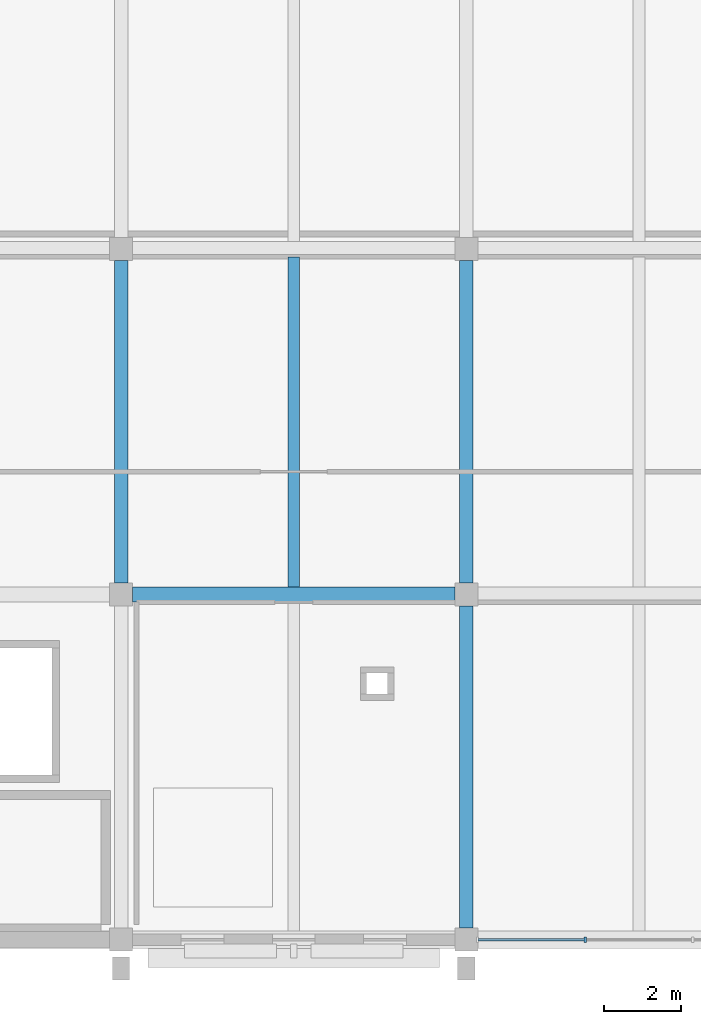
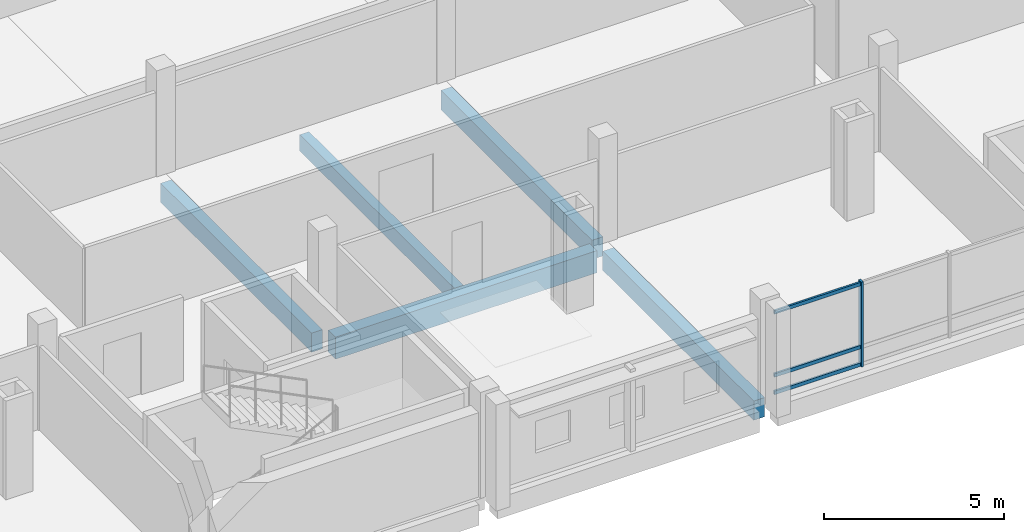
# One storey, part 9 of 163: 5 beams, 4 members, 1 element without a shape of its own.
"""IFC4 building model written with IfcOpenShell, lengths in metres."""

from ifc_helpers import new_model, si_unit, direction, frame, origin, origin_2d, place, context, subcontext, project, spatial, rectangle, extrude, material, material_profile, profile_set, type_object, element, aggregate, save


model = new_model("IFC4")

# Units and contexts
model_context = context("Model", 3, precision=1e-05, world=origin(), true_north=direction((0.0, 1.0)))
body_context = subcontext(model_context, "Body", "Model", "MODEL_VIEW")
ifc_project = project(units=[si_unit("LENGTHUNIT", "METRE"), si_unit("AREAUNIT", "SQUARE_METRE"), si_unit("VOLUMEUNIT", "CUBIC_METRE"), si_unit("PLANEANGLEUNIT", "RADIAN"), si_unit("MASSUNIT", "GRAM", prefix="KILO")], contexts=[model_context])

# Site, building, storey
site_placement = place(None, origin())
site = spatial("IfcSite", under=ifc_project, at=site_placement, CompositionType="ELEMENT")
building_placement = place(site_placement, origin())
building = spatial("IfcBuilding", under=site, at=building_placement, Name="Tharagai Park Tramway Depot", CompositionType="ELEMENT")
storey_placement = place(building_placement, frame((0.0, 0.0, 8.39990234375)))
storey = spatial("IfcBuildingStorey", under=building, at=storey_placement, Name="L02", CompositionType="ELEMENT", Elevation=8.39990234375)

# Beams
ifc_material_1 = material(Name="Concrete M35", Category="concrete")
ifc_material_profile_1 = material_profile(ifc_material_1, rectangle(XDim=0.35009765625, YDim=0.64990234375, at=origin_2d()), Name="RC 350x650")
ifc_profile_set_1 = profile_set([ifc_material_profile_1], Name="Concrete M35")
beam_type_1 = type_object("IfcBeamType", Name="BM-13", PredefinedType="BEAM", material=ifc_profile_set_1)
for number, where, z_axis, x_axis, name in (
    (1, (18.0, 9.300048828125, -0.574951171875), (0.0, 1.0, 0.0), (-1.0, 0.0, 0.0), "L02 Grid Beam BM-13"),
    (2, (27.0, 0.300048828125, -0.574951171875), (0.0, 1.0, 0.0), (-1.0, 0.0, 0.0), "L02 Grid Beam BM-13"),
    (3, (27.0, 9.300048828125, -0.574951171875), (0.0, 1.0, 0.0), (-1.0, 0.0, 0.0), "L02 Grid Beam BM-13"),
):
    element("IfcBeam", number, at=place(storey_placement, frame(where, z_axis=z_axis, x_axis=x_axis)), inside=storey, type_object=beam_type_1, Name=name, PredefinedType="BEAM", context=body_context, shape_type="SweptSolid", body=[
        extrude(rectangle(XDim=0.35009765625, YDim=0.64990234375, at=origin_2d()), origin(), (0.0, 0.0, 1.0), 8.39990234375),
    ])
ifc_material_profile_2 = material_profile(ifc_material_1, rectangle(XDim=0.39990234375, YDim=0.75, at=origin_2d()), Name="RC 400x750")
ifc_profile_set_2 = profile_set([ifc_material_profile_2], Name="Concrete M35")
beam_type_2 = type_object("IfcBeamType", Name="BM-19", PredefinedType="BEAM", material=ifc_profile_set_2)
beam_1_placement = place(storey_placement, frame((18.300048828125, 9.0, -0.625), z_axis=(1.0, 0.0, 0.0), x_axis=(0.0, 1.0, 0.0)))
element("IfcBeam", 4, at=beam_1_placement, inside=storey, type_object=beam_type_2, Name="L02 Grid Beam BM-19", PredefinedType="BEAM", context=body_context, shape_type="SweptSolid", body=[
    extrude(rectangle(XDim=0.39990234375, YDim=0.75, at=origin_2d()), origin(), (0.0, 0.0, 1.0), 8.39990234375),
])

# Curtain wall, members
ifc_material_2 = material(Name="Anodised aluminium", Category="aluminium")
curtain_wall_type = type_object("IfcCurtainWallType", Name="CW-02", PredefinedType="NOTDEFINED", material=ifc_material_2)
curtain_wall_placement = place(storey_placement, origin())
curtain_wall = element("IfcCurtainWall", 5, at=curtain_wall_placement, inside=storey, type_object=curtain_wall_type, Name="L02 V4 Gothic Mullioned Curtain Wall CW-02", PredefinedType="NOTDEFINED")
ifc_material_profile_3 = material_profile(ifc_material_2, rectangle(XDim=0.06494140625, YDim=0.1201171875, at=origin_2d()), Name="ALU 65x120")
ifc_profile_set_3 = profile_set([ifc_material_profile_3], Name="Anodised aluminium")
member_type_1 = type_object("IfcMemberType", Name="CM-01", PredefinedType="USERDEFINED", material=ifc_profile_set_3)
member_1_placement = place(storey_placement, frame((27.304931640625, 0.0, 0.06005859375), z_axis=(1.0, 0.0, 0.0), x_axis=(0.0, 1.0, 0.0)))
member_1 = element("IfcMember", 6, at=member_1_placement, type_object=member_type_1, Name="L02 V4 Gothic Mullioned Curtain Wall Transom 1.1", ObjectType="TRANSOM", PredefinedType="USERDEFINED", context=body_context, shape_type="SweptSolid", body=[
    extrude(rectangle(XDim=0.06494140625, YDim=0.1201171875, at=origin_2d()), origin(), (0.0, 0.0, 1.0), 2.77685546875),
])
member_2_placement = place(storey_placement, frame((27.304931640625, 0.0, 0.650146484375), z_axis=(1.0, 0.0, 0.0), x_axis=(0.0, 1.0, 0.0)))
member_2 = element("IfcMember", 7, at=member_2_placement, type_object=member_type_1, Name="L02 V4 Gothic Mullioned Curtain Wall Transom 1.2", ObjectType="TRANSOM", PredefinedType="USERDEFINED", context=body_context, shape_type="SweptSolid", body=[
    extrude(rectangle(XDim=0.06494140625, YDim=0.1201171875, at=origin_2d()), origin(), (0.0, 0.0, 1.0), 2.77685546875),
])
member_3_placement = place(storey_placement, frame((27.304931640625, 0.0, 2.7900390625), z_axis=(1.0, 0.0, 0.0), x_axis=(0.0, 1.0, 0.0)))
member_3 = element("IfcMember", 8, at=member_3_placement, type_object=member_type_1, Name="L02 V4 Gothic Mullioned Curtain Wall Transom 1.3", ObjectType="TRANSOM", PredefinedType="USERDEFINED", context=body_context, shape_type="SweptSolid", body=[
    extrude(rectangle(XDim=0.06494140625, YDim=0.1201171875, at=origin_2d()), origin(), (0.0, 0.0, 1.0), 2.77685546875),
])
ifc_material_profile_4 = material_profile(ifc_material_2, rectangle(XDim=0.06494140625, YDim=0.14990234375, at=origin_2d()), Name="ALU 65x150")
ifc_profile_set_4 = profile_set([ifc_material_profile_4], Name="Anodised aluminium")
member_type_2 = type_object("IfcMemberType", Name="CM-03", PredefinedType="MULLION", material=ifc_profile_set_4)
member_4_placement = place(storey_placement, frame((30.0966796875, 0.0, -0.0048828125), z_axis=(0.0, 0.0, 1.0), x_axis=(1.0, 0.0, 0.0)))
member_4 = element("IfcMember", 9, at=member_4_placement, type_object=member_type_2, Name="L02 V4 Gothic Mullioned Curtain Wall Mullion 2", PredefinedType="MULLION", context=body_context, shape_type="SweptSolid", body=[
    extrude(rectangle(XDim=0.06494140625, YDim=0.14990234375, at=origin_2d()), origin(), (0.0, 0.0, 1.0), 2.8798828125),
])
aggregate(curtain_wall, [member_4, member_1, member_2, member_3])

# Beam
ifc_material_profile_5 = material_profile(ifc_material_1, rectangle(XDim=0.300048828125, YDim=0.550048828125, at=origin_2d()), Name="RC 300x550")
ifc_profile_set_5 = profile_set([ifc_material_profile_5], Name="Concrete M35")
beam_type_3 = type_object("IfcBeamType", Name="JT-06", PredefinedType="JOIST", material=ifc_profile_set_5)
beam_2_placement = place(storey_placement, frame((22.5, 9.199951171875, -0.52490234375), z_axis=(0.0, 1.0, 0.0), x_axis=(-1.0, 0.0, 0.0)))
element("IfcBeam", 10, at=beam_2_placement, inside=storey, type_object=beam_type_3, Name="L02 Secondary Joist JT-06", PredefinedType="JOIST", context=body_context, shape_type="SweptSolid", body=[
    extrude(rectangle(XDim=0.300048828125, YDim=0.550048828125, at=origin_2d()), origin(), (0.0, 0.0, 1.0), 8.60009765625),
])

save(model, "model.ifc")
